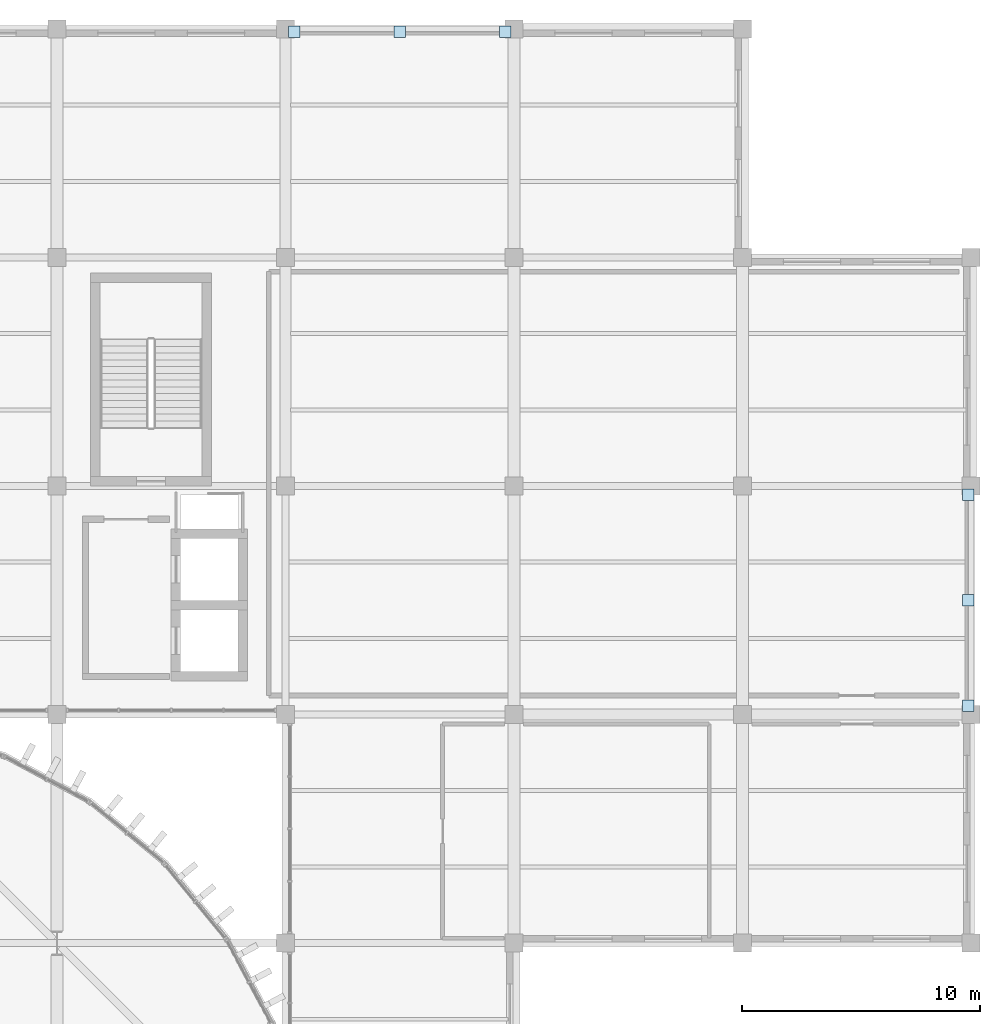
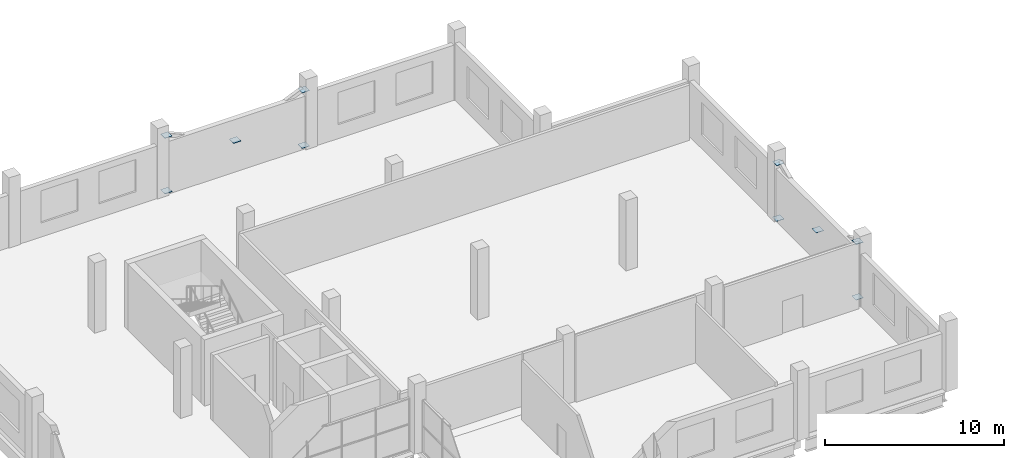
# One storey, part 58 of 99: 10 plates.
"""IFC4 building model written with IfcOpenShell, lengths in metres."""

from ifc_helpers import new_model, si_unit, direction, frame, origin, origin_2d, place, context, subcontext, project, spatial, rectangle, extrude, material, layer, layer_set, type_object, element, save


model = new_model("IFC4")

# Units and contexts
model_context = context("Model", 3, precision=1e-05, world=origin(), true_north=direction((0.0, 1.0)))
body_context = subcontext(model_context, "Body", "Model", "MODEL_VIEW")
ifc_project = project(units=[si_unit("LENGTHUNIT", "METRE"), si_unit("AREAUNIT", "SQUARE_METRE"), si_unit("VOLUMEUNIT", "CUBIC_METRE"), si_unit("PLANEANGLEUNIT", "RADIAN"), si_unit("MASSUNIT", "GRAM", prefix="KILO")], contexts=[model_context])

# Site, building, storey
site_placement = place(None, origin())
site = spatial("IfcSite", under=ifc_project, at=site_placement, CompositionType="ELEMENT")
building_placement = place(site_placement, origin())
building = spatial("IfcBuilding", under=site, at=building_placement, Name="Caelomonte Colonnade Arena", CompositionType="ELEMENT")
storey_placement = place(building_placement, frame((0.0, 0.0, 4.800048828125)))
storey = spatial("IfcBuildingStorey", under=building, at=storey_placement, Name="L01", CompositionType="ELEMENT", Elevation=4.800048828125)

# Plates
ifc_material = material(Name="Steel ASTM A572 Grade 50", Category="steel")
ifc_layer = layer(ifc_material, 0.02490234375)
ifc_layer_set = layer_set([ifc_layer], Name="Steel ASTM A572 Grade 50")
plate_type = type_object("IfcPlateType", Name="STR-PL-PN01", PredefinedType="USERDEFINED", material=ifc_layer_set)
for number, where, z_axis, x_axis, name in (
    (1, (168.0, 143.885009765625, 2.047607421875), (0.0, 0.0, 1.0), (1.0, 0.0, 0.0), "Braced frame BF3 L01 gusset plate X"),
    (2, (163.56005859375, 143.885009765625, 0.1474609375), (0.0, 0.0, 1.0), (1.0, 0.0, 0.0), "Braced frame BF3 L01 gusset plate BL"),
    (3, (172.43994140625, 143.885009765625, 0.1474609375), (0.0, 0.0, 1.0), (1.0, 0.0, 0.0), "Braced frame BF3 L01 gusset plate BR"),
    (4, (163.56005859375, 143.885009765625, 3.947509765625), (0.0, 0.0, 1.0), (1.0, 0.0, 0.0), "Braced frame BF3 L01 gusset plate TL"),
    (5, (172.43994140625, 143.885009765625, 3.947509765625), (0.0, 0.0, 1.0), (1.0, 0.0, 0.0), "Braced frame BF3 L01 gusset plate TR"),
    (6, (191.885009765625, 120.0, 2.047607421875), (0.0, 0.0, 1.0), (1.0, 0.0, 0.0), "Braced frame BF4 L01 gusset plate X"),
    (7, (191.885009765625, 115.56005859375, 0.1474609375), (0.0, 0.0, 1.0), (1.0, 0.0, 0.0), "Braced frame BF4 L01 gusset plate BL"),
    (8, (191.885009765625, 124.43994140625, 0.1474609375), (0.0, 0.0, 1.0), (1.0, 0.0, 0.0), "Braced frame BF4 L01 gusset plate BR"),
    (9, (191.885009765625, 115.56005859375, 3.947509765625), (0.0, 0.0, 1.0), (1.0, 0.0, 0.0), "Braced frame BF4 L01 gusset plate TL"),
    (10, (191.885009765625, 124.43994140625, 3.947509765625), (0.0, 0.0, 1.0), (1.0, 0.0, 0.0), "Braced frame BF4 L01 gusset plate TR"),
):
    element("IfcPlate", number, at=place(storey_placement, frame(where, z_axis=z_axis, x_axis=x_axis)), inside=storey, type_object=plate_type, Name=name, ObjectType="GUSSET PLATE", PredefinedType="USERDEFINED", context=body_context, shape_type="SweptSolid", body=[
        extrude(rectangle(XDim=0.47998046875, YDim=0.47998046875, at=origin_2d()), origin(), (0.0, 0.0, 1.0), 0.02490234375),
    ])

save(model, "model.ifc")
